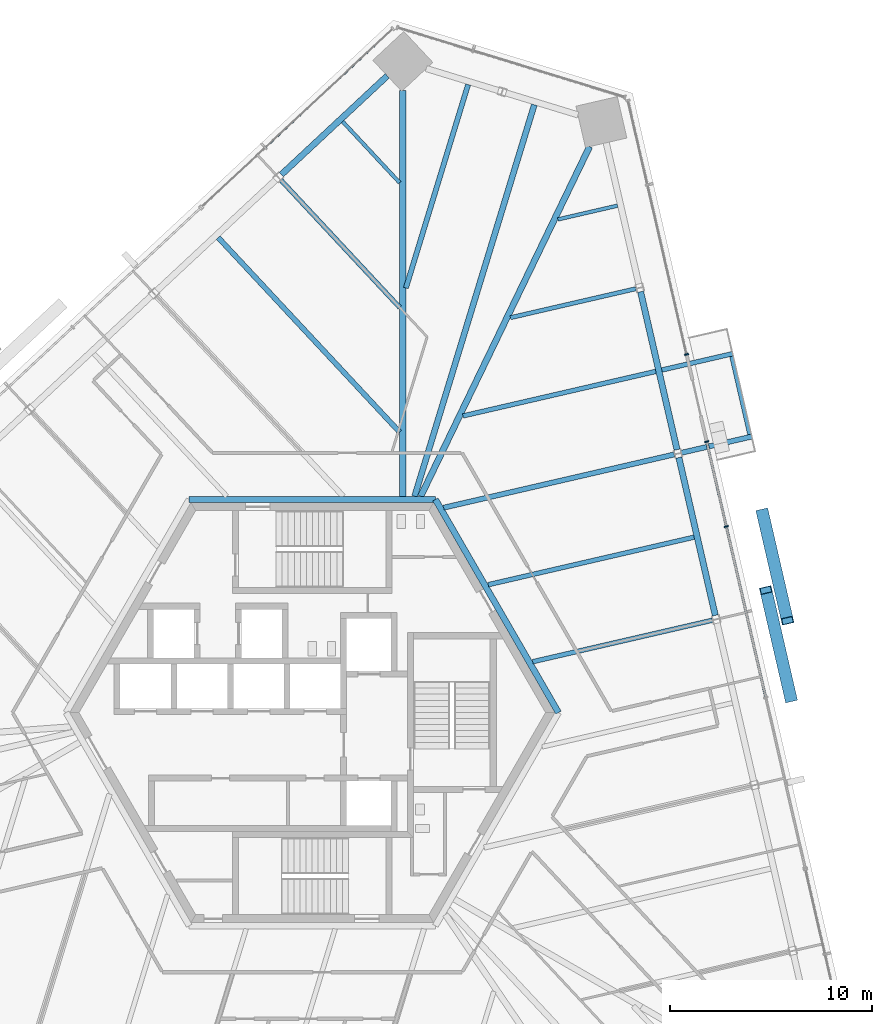
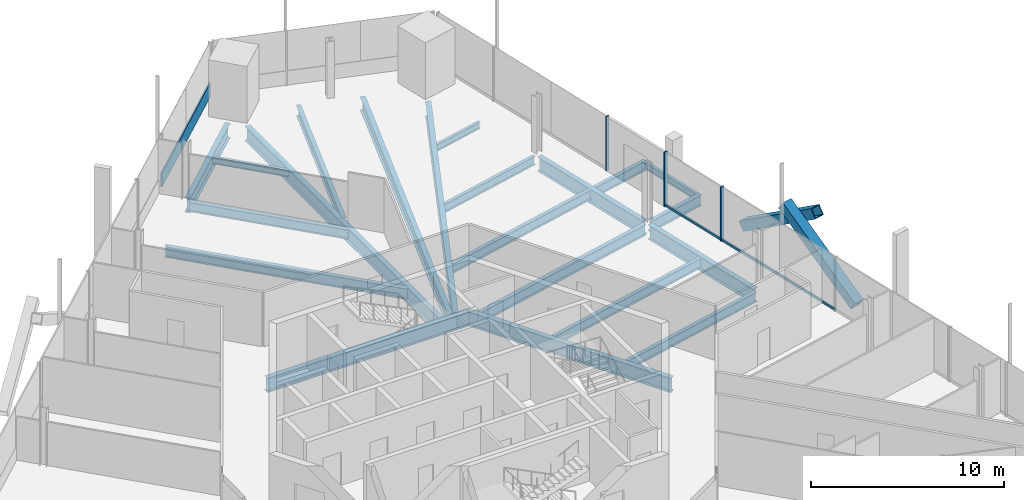
# One storey, part 9 of 24: 21 beams, 8 members, 3 elements without a shape of their own.
"""IFC4 building model written with IfcOpenShell, lengths in metres."""

from ifc_helpers import new_model, si_unit, direction, frame, origin, origin_2d, place, context, subcontext, project, spatial, rectangle, hollow_rectangle, i_section, extrude, source, transform, mapped, material, material_profile, profile_set, type_object, element, aggregate, save


model = new_model("IFC4")

# Units and contexts
model_context = context("Model", 3, precision=1e-05, world=origin(), true_north=direction((0.0, 1.0)))
body_context = subcontext(model_context, "Body", "Model", "MODEL_VIEW")
ifc_project = project(units=[si_unit("LENGTHUNIT", "METRE"), si_unit("AREAUNIT", "SQUARE_METRE"), si_unit("VOLUMEUNIT", "CUBIC_METRE"), si_unit("PLANEANGLEUNIT", "RADIAN"), si_unit("MASSUNIT", "GRAM", prefix="KILO")], contexts=[model_context])

# Site, building, storey
site_placement = place(None, origin())
site = spatial("IfcSite", under=ifc_project, at=site_placement, CompositionType="ELEMENT")
building_placement = place(site_placement, origin())
building = spatial("IfcBuilding", under=site, at=building_placement, Name="Triune Harvest Tower", CompositionType="ELEMENT")
storey_placement = place(building_placement, frame((0.0, 0.0, 112.699951171875)))
storey = spatial("IfcBuildingStorey", under=building, at=storey_placement, Name="L28", CompositionType="ELEMENT", Elevation=112.699951171875)

# Curtain wall, member
ifc_material_1 = material(Name="Aluminium bronze anodised", Category="aluminium")
curtain_wall_type_1 = type_object("IfcCurtainWallType", Name="CW-10 Balcony window wall with insulated spandrel infill", PredefinedType="NOTDEFINED", material=ifc_material_1)
curtain_wall_1_placement = place(storey_placement, origin())
curtain_wall_1 = element("IfcCurtainWall", 1, at=curtain_wall_1_placement, inside=storey, type_object=curtain_wall_type_1, Name="CW-10 B3-F1 L28 run 1001")
ifc_material_2 = material(Name="Aluminium bronze anodised", Category="aluminium")
ifc_material_profile_1 = material_profile(ifc_material_2, rectangle(XDim=0.090087890625, YDim=0.14990234375, at=origin_2d()), Name="TR-6 transom 90 x 150")
ifc_profile_set_1 = profile_set([ifc_material_profile_1], Name="Aluminium bronze anodised")
member_type_1 = type_object("IfcMemberType", Name="TR-6 transom 90 x 150", PredefinedType="USERDEFINED", material=ifc_profile_set_1)
member_1_placement = place(storey_placement, frame((22.423095703125, 0.781982421875, 0.074951171875), z_axis=(-0.224960987518, 0.974367771478, 0.0), x_axis=(-0.974367771478, -0.224960987518, 0.0)))
member_1 = element("IfcMember", 2, at=member_1_placement, type_object=member_type_1, Name="CW-10 transom B3-F1 1001.2", ObjectType="TRANSOM", PredefinedType="USERDEFINED", context=body_context, shape_type="SweptSolid", body=[
    extrude(rectangle(XDim=0.090087890625, YDim=0.14990234375, at=origin_2d()), origin(), (0.0, 0.0, 1.0), 8.609375),
])

# Beams
ifc_material_3 = material(Name="Steel ASTM A992 Gr 50", Category="steel")
ifc_material_profile_2 = material_profile(ifc_material_3, i_section(OverallWidth=0.3046875, OverallDepth=0.914306640625, WebThickness=0.0166015625, FlangeThickness=0.02587890625, at=origin_2d()), Name="W36x160")
ifc_profile_set_2 = profile_set([ifc_material_profile_2], Name="Steel ASTM A992 Gr 50")
beam_type_1 = type_object("IfcBeamType", Name="CG-1 Core ring girder W36x160", PredefinedType="BEAM", material=ifc_profile_set_2)
shared_shape_1 = source(origin(), body_context, "Body", "SweptSolid", [
    extrude(i_section(OverallWidth=0.3046875, OverallDepth=0.914306640625, WebThickness=0.0166015625, FlangeThickness=0.02587890625, at=origin_2d()), origin(), (0.0, 0.0, 1.0), 12.176025390625),
])
beam_1_placement = place(storey_placement, frame((12.176025390625, 0.0, -0.6171875), z_axis=(-0.5000099932, 0.866019634131, 0.0), x_axis=(-0.866019634131, -0.5000099932, 0.0)))
element("IfcBeam", 3, at=beam_1_placement, inside=storey, type_object=beam_type_1, Name="beam/L28/CG1", PredefinedType="BEAM", context=body_context, shape_type="MappedRepresentation", body=[
    mapped(shared_shape_1, transform((0.0, 0.0, 0.0), scale=1.0)),
])
shared_shape_2 = source(origin(), body_context, "Body", "SweptSolid", [
    extrude(i_section(OverallWidth=0.3046875, OverallDepth=0.914306640625, WebThickness=0.0166015625, FlangeThickness=0.02587890625, at=origin_2d()), origin(), (0.0, 0.0, 1.0), 12.17578125),
])
beam_2_placement = place(storey_placement, frame((6.087890625, 10.544677734375, -0.6171875), z_axis=(-1.0, 0.0, 0.0), x_axis=(0.0, -1.0, 0.0)))
element("IfcBeam", 4, at=beam_2_placement, inside=storey, type_object=beam_type_1, Name="beam/L28/CG2", PredefinedType="BEAM", context=body_context, shape_type="MappedRepresentation", body=[
    mapped(shared_shape_2, transform((0.0, 0.0, 0.0), scale=1.0)),
])
ifc_material_4 = material(Name="Steel ASTM A992 Gr 50", Category="steel")
ifc_material_profile_3 = material_profile(ifc_material_4, i_section(OverallWidth=0.3046875, OverallDepth=0.914306640625, WebThickness=0.0166015625, FlangeThickness=0.02587890625, at=origin_2d()), Name="W36x160")
ifc_profile_set_3 = profile_set([ifc_material_profile_3], Name="Steel ASTM A992 Gr 50")
beam_type_2 = type_object("IfcBeamType", Name="SB-1 Spandrel beam W36x160", PredefinedType="SPANDREL", material=ifc_profile_set_3)
shared_shape_3 = source(origin(), body_context, "Body", "SweptSolid", [
    extrude(i_section(OverallWidth=0.3046875, OverallDepth=0.914306640625, WebThickness=0.0166015625, FlangeThickness=0.02587890625, at=origin_2d()), origin(), (0.0, 0.0, 1.0), 8.0185546875),
])
beam_3_placement = place(storey_placement, frame((18.04248046875, 13.00439453125, -0.6171875), z_axis=(-0.224915098534, 0.974378365139, 0.0), x_axis=(-0.974378365139, -0.224915098534, 0.0)))
element("IfcBeam", 5, at=beam_3_placement, inside=storey, type_object=beam_type_2, Name="beam/L28/SB5", PredefinedType="SPANDREL", context=body_context, shape_type="MappedRepresentation", body=[
    mapped(shared_shape_3, transform((0.0, 0.0, 0.0), scale=1.0)),
])
shared_shape_4 = source(origin(), body_context, "Body", "SweptSolid", [
    extrude(i_section(OverallWidth=0.3046875, OverallDepth=0.914306640625, WebThickness=0.0166015625, FlangeThickness=0.02587890625, at=origin_2d()), origin(), (0.0, 0.0, 1.0), 8.01806640625),
])
beam_4_placement = place(storey_placement, frame((19.935546875, 4.805908203125, -0.6171875), z_axis=(-0.224957352975, 0.97436861061, 0.0), x_axis=(-0.97436861061, -0.224957352975, 0.0)))
element("IfcBeam", 6, at=beam_4_placement, inside=storey, type_object=beam_type_2, Name="beam/L28/SB4", PredefinedType="SPANDREL", context=body_context, shape_type="MappedRepresentation", body=[
    mapped(shared_shape_4, transform((0.0, 0.0, 0.0), scale=1.0)),
])
shared_shape_5 = source(origin(), body_context, "Body", "SweptSolid", [
    extrude(i_section(OverallWidth=0.3046875, OverallDepth=0.914306640625, WebThickness=0.0166015625, FlangeThickness=0.02587890625, at=origin_2d()), origin(), (0.0, 0.0, 1.0), 7.16650390625),
])
beam_5_placement = place(storey_placement, frame((3.709228515625, 31.49658203125, -0.6171875), z_axis=(-0.731357675554, -0.681994098515, 0.0), x_axis=(0.681994098515, -0.731357675554, 0.0)))
element("IfcBeam", 7, at=beam_5_placement, inside=storey, type_object=beam_type_2, Name="beam/L28/SB9", PredefinedType="SPANDREL", context=body_context, shape_type="MappedRepresentation", body=[
    mapped(shared_shape_5, transform((0.0, 0.0, 0.0), scale=1.0)),
])
ifc_material_5 = material(Name="Steel ASTM A992 Gr 50", Category="steel")
ifc_material_profile_4 = material_profile(ifc_material_5, i_section(OverallWidth=0.307373046875, OverallDepth=0.922119140625, WebThickness=0.018310546875, FlangeThickness=0.030029296875, at=origin_2d()), Name="W36x182")
ifc_profile_set_4 = profile_set([ifc_material_profile_4], Name="Steel ASTM A992 Gr 50")
beam_type_3 = type_object("IfcBeamType", Name="HG-2 Hip girder W36x182", PredefinedType="BEAM", material=ifc_profile_set_4)
shared_shape_6 = source(origin(), body_context, "Body", "SweptSolid", [
    extrude(i_section(OverallWidth=0.307373046875, OverallDepth=0.922119140625, WebThickness=0.018310546875, FlangeThickness=0.030029296875, at=origin_2d()), origin(), (0.0, 0.0, 1.0), 19.2109375),
])
beam_6_placement = place(storey_placement, frame((13.7158203125, 27.996337890625, -0.620849609375), z_axis=(-0.434869540736, -0.900493466129, 0.0), x_axis=(0.900493466129, -0.434869540736, 0.0)))
element("IfcBeam", 8, at=beam_6_placement, inside=storey, type_object=beam_type_3, Name="beam/L28/HG3", PredefinedType="BEAM", context=body_context, shape_type="MappedRepresentation", body=[
    mapped(shared_shape_6, transform((0.0, 0.0, 0.0), scale=1.0)),
])
shared_shape_7 = source(origin(), body_context, "Body", "SweptSolid", [
    extrude(i_section(OverallWidth=0.307373046875, OverallDepth=0.922119140625, WebThickness=0.018310546875, FlangeThickness=0.030029296875, at=origin_2d()), origin(), (0.0, 0.0, 1.0), 20.080078125),
])
beam_7_placement = place(storey_placement, frame((4.47705078125, 30.777099609375, -0.620849609375), z_axis=(0.0, -1.0, 0.0), x_axis=(1.0, 0.0, 0.0)))
element("IfcBeam", 9, at=beam_7_placement, inside=storey, type_object=beam_type_3, Name="beam/L28/HG4", PredefinedType="BEAM", context=body_context, shape_type="MappedRepresentation", body=[
    mapped(shared_shape_7, transform((0.0, 0.0, 0.0), scale=1.0)),
])
ifc_material_6 = material(Name="Steel ASTM A992 Gr 50", Category="steel")
ifc_material_profile_5 = material_profile(ifc_material_6, i_section(OverallWidth=0.22900390625, OverallDepth=0.612060546875, WebThickness=0.011962890625, FlangeThickness=0.01953125, at=origin_2d()), Name="W24x84")
ifc_profile_set_5 = profile_set([ifc_material_profile_5], Name="Steel ASTM A992 Gr 50")
beam_type_4 = type_object("IfcBeamType", Name="JT-3 Floor joist W24x84", PredefinedType="JOIST", material=ifc_profile_set_5)
shared_shape_8 = source(origin(), body_context, "Body", "SweptSolid", [
    extrude(i_section(OverallWidth=0.22900390625, OverallDepth=0.612060546875, WebThickness=0.011962890625, FlangeThickness=0.01953125, at=origin_2d()), origin(), (0.0, 0.0, 1.0), 9.129150390625),
])
beam_8_placement = place(storey_placement, frame((19.79443359375, 4.56982421875, -0.466064453125), z_axis=(-0.974374065454, -0.22493372484, 0.0), x_axis=(0.22493372484, -0.974374065454, 0.0)))
element("IfcBeam", 10, at=beam_8_placement, inside=storey, type_object=beam_type_4, Name="beam/L28/JT6", PredefinedType="JOIST", context=body_context, shape_type="MappedRepresentation", body=[
    mapped(shared_shape_8, transform((0.0, 0.0, 0.0), scale=1.0)),
])
shared_shape_9 = source(origin(), body_context, "Body", "SweptSolid", [
    extrude(i_section(OverallWidth=0.22900390625, OverallDepth=0.612060546875, WebThickness=0.011962890625, FlangeThickness=0.01953125, at=origin_2d()), origin(), (0.0, 0.0, 1.0), 10.45361328125),
])
beam_9_placement = place(storey_placement, frame((18.88525390625, 8.677978515625, -0.466064453125), z_axis=(-0.974370329956, -0.224949905758, 0.0), x_axis=(0.224949905758, -0.974370329956, 0.0)))
element("IfcBeam", 11, at=beam_9_placement, inside=storey, type_object=beam_type_4, Name="beam/L28/JT7", PredefinedType="JOIST", context=body_context, shape_type="MappedRepresentation", body=[
    mapped(shared_shape_9, transform((0.0, 0.0, 0.0), scale=1.0)),
])
ifc_material_7 = material(Name="Steel ASTM A992 Gr 50", Category="steel")
ifc_material_profile_6 = material_profile(ifc_material_7, i_section(OverallWidth=0.253662109375, OverallDepth=0.683349609375, WebThickness=0.012451171875, FlangeThickness=0.01904296875, at=origin_2d()), Name="W27x94")
ifc_profile_set_6 = profile_set([ifc_material_profile_6], Name="Steel ASTM A992 Gr 50")
beam_type_5 = type_object("IfcBeamType", Name="JT-4 Floor joist W27x94", PredefinedType="JOIST", material=ifc_profile_set_6)
shared_shape_10 = source(origin(), body_context, "Body", "SweptSolid", [
    extrude(i_section(OverallWidth=0.253662109375, OverallDepth=0.683349609375, WebThickness=0.012451171875, FlangeThickness=0.01904296875, at=origin_2d()), origin(), (0.0, 0.0, 1.0), 11.701904296875),
])
beam_10_placement = place(storey_placement, frame((17.901611328125, 12.768798828125, -0.50146484375), z_axis=(-0.974365520252, -0.224970737974, 0.0), x_axis=(0.224970737974, -0.974365520252, 0.0)))
element("IfcBeam", 12, at=beam_10_placement, inside=storey, type_object=beam_type_5, Name="beam/L28/JT8", PredefinedType="JOIST", context=body_context, shape_type="MappedRepresentation", body=[
    mapped(shared_shape_10, transform((0.0, 0.0, 0.0), scale=1.0)),
])
shared_shape_11 = source(origin(), body_context, "Body", "SweptSolid", [
    extrude(i_section(OverallWidth=0.22900390625, OverallDepth=0.612060546875, WebThickness=0.011962890625, FlangeThickness=0.01953125, at=origin_2d()), origin(), (0.0, 0.0, 1.0), 9.790283203125),
])
beam_11_placement = place(storey_placement, frame((16.9921875, 16.876708984375, -0.466064453125), z_axis=(-0.974368495141, -0.224957853113, 0.0), x_axis=(0.224957853113, -0.974368495141, 0.0)))
element("IfcBeam", 13, at=beam_11_placement, inside=storey, type_object=beam_type_4, Name="beam/L28/JT9", PredefinedType="JOIST", context=body_context, shape_type="MappedRepresentation", body=[
    mapped(shared_shape_11, transform((0.0, 0.0, 0.0), scale=1.0)),
])
ifc_material_8 = material(Name="Steel ASTM A992 Gr 50", Category="steel")
ifc_material_profile_7 = material_profile(ifc_material_8, i_section(OverallWidth=0.2099609375, OverallDepth=0.535888671875, WebThickness=0.010986328125, FlangeThickness=0.017333984375, at=origin_2d()), Name="W21x68")
ifc_profile_set_7 = profile_set([ifc_material_profile_7], Name="Steel ASTM A992 Gr 50")
beam_type_6 = type_object("IfcBeamType", Name="JT-2 Floor joist W21x68", PredefinedType="JOIST", material=ifc_profile_set_7)
shared_shape_12 = source(origin(), body_context, "Body", "SweptSolid", [
    extrude(i_section(OverallWidth=0.2099609375, OverallDepth=0.535888671875, WebThickness=0.010986328125, FlangeThickness=0.017333984375, at=origin_2d()), origin(), (0.0, 0.0, 1.0), 6.372314453125),
])
beam_12_placement = place(storey_placement, frame((16.0087890625, 20.967529296875, -0.427978515625), z_axis=(-0.974365360565, -0.224971429586, 0.0), x_axis=(0.224971429586, -0.974365360565, 0.0)))
element("IfcBeam", 14, at=beam_12_placement, inside=storey, type_object=beam_type_6, Name="beam/L28/JT10", PredefinedType="JOIST", context=body_context, shape_type="MappedRepresentation", body=[
    mapped(shared_shape_12, transform((0.0, 0.0, 0.0), scale=1.0)),
])
ifc_material_9 = material(Name="Steel ASTM A992 Gr 50", Category="steel")
ifc_material_profile_8 = material_profile(ifc_material_9, i_section(OverallWidth=0.180908203125, OverallDepth=0.41650390625, WebThickness=0.010986328125, FlangeThickness=0.01806640625, at=origin_2d()), Name="W16x57")
ifc_profile_set_8 = profile_set([ifc_material_profile_8], Name="Steel ASTM A992 Gr 50")
beam_type_7 = type_object("IfcBeamType", Name="JT-1 Floor joist W16x57", PredefinedType="JOIST", material=ifc_profile_set_8)
shared_shape_13 = source(origin(), body_context, "Body", "SweptSolid", [
    extrude(i_section(OverallWidth=0.180908203125, OverallDepth=0.41650390625, WebThickness=0.010986328125, FlangeThickness=0.01806640625, at=origin_2d()), origin(), (0.0, 0.0, 1.0), 3.0302734375),
])
beam_13_placement = place(storey_placement, frame((15.099365234375, 25.075439453125, -0.3681640625), z_axis=(-0.974372182121, -0.224941882957, 0.0), x_axis=(0.224941882957, -0.974372182121, 0.0)))
element("IfcBeam", 15, at=beam_13_placement, inside=storey, type_object=beam_type_7, Name="beam/L28/JT11", PredefinedType="JOIST", context=body_context, shape_type="MappedRepresentation", body=[
    mapped(shared_shape_13, transform((0.0, 0.0, 0.0), scale=1.0)),
])
ifc_material_10 = material(Name="Steel ASTM A992 Gr 50", Category="steel")
ifc_material_profile_9 = material_profile(ifc_material_10, i_section(OverallWidth=0.2919921875, OverallDepth=0.8583984375, WebThickness=0.01708984375, FlangeThickness=0.031005859375, at=origin_2d()), Name="W33x169")
ifc_profile_set_9 = profile_set([ifc_material_profile_9], Name="Steel ASTM A992 Gr 50")
beam_type_8 = type_object("IfcBeamType", Name="JT-7 Floor joist W33x169", PredefinedType="JOIST", material=ifc_profile_set_9)
shared_shape_14 = source(origin(), body_context, "Body", "SweptSolid", [
    extrude(i_section(OverallWidth=0.2919921875, OverallDepth=0.8583984375, WebThickness=0.01708984375, FlangeThickness=0.031005859375, at=origin_2d()), origin(), (0.0, 0.0, 1.0), 20.252685546875),
])
beam_14_placement = place(storey_placement, frame((10.982177734375, 30.064697265625, -0.58935546875), z_axis=(-0.292364925189, -0.956306828648, 0.0), x_axis=(0.956306828648, -0.292364925189, 0.0)))
element("IfcBeam", 16, at=beam_14_placement, inside=storey, type_object=beam_type_8, Name="beam/L28/JT12", PredefinedType="JOIST", context=body_context, shape_type="MappedRepresentation", body=[
    mapped(shared_shape_14, transform((0.0, 0.0, 0.0), scale=1.0)),
])
shared_shape_15 = source(origin(), body_context, "Body", "SweptSolid", [
    extrude(i_section(OverallWidth=0.253662109375, OverallDepth=0.683349609375, WebThickness=0.012451171875, FlangeThickness=0.01904296875, at=origin_2d()), origin(), (0.0, 0.0, 1.0), 10.522705078125),
])
beam_15_placement = place(storey_placement, frame((7.707275390625, 31.065673828125, -0.50146484375), z_axis=(-0.292358820543, -0.956308694957, 0.0), x_axis=(0.956308694957, -0.292358820543, 0.0)))
element("IfcBeam", 17, at=beam_15_placement, inside=storey, type_object=beam_type_5, Name="beam/L28/JT13", PredefinedType="JOIST", context=body_context, shape_type="MappedRepresentation", body=[
    mapped(shared_shape_15, transform((0.0, 0.0, 0.0), scale=1.0)),
])
shared_shape_16 = source(origin(), body_context, "Body", "SweptSolid", [
    extrude(i_section(OverallWidth=0.180908203125, OverallDepth=0.41650390625, WebThickness=0.010986328125, FlangeThickness=0.01806640625, at=origin_2d()), origin(), (0.0, 0.0, 1.0), 4.134033203125),
])
beam_16_placement = place(storey_placement, frame((1.504150390625, 29.23193359375, -0.3681640625), z_axis=(0.681989931417, -0.731361561367, 0.0), x_axis=(0.731361561367, 0.681989931417, 0.0)))
element("IfcBeam", 18, at=beam_16_placement, inside=storey, type_object=beam_type_7, Name="beam/L28/JT14", PredefinedType="JOIST", context=body_context, shape_type="MappedRepresentation", body=[
    mapped(shared_shape_16, transform((0.0, 0.0, 0.0), scale=1.0)),
])
shared_shape_17 = source(origin(), body_context, "Body", "SweptSolid", [
    extrude(i_section(OverallWidth=0.22900390625, OverallDepth=0.612060546875, WebThickness=0.011962890625, FlangeThickness=0.01953125, at=origin_2d()), origin(), (0.0, 0.0, 1.0), 8.607666015625),
])
beam_17_placement = place(storey_placement, frame((-1.546875, 26.334716796875, -0.466064453125), z_axis=(0.681999854465, -0.731352308063, 0.0), x_axis=(0.731352308063, 0.681999854465, 0.0)))
element("IfcBeam", 19, at=beam_17_placement, inside=storey, type_object=beam_type_4, Name="beam/L28/JT15", PredefinedType="JOIST", context=body_context, shape_type="MappedRepresentation", body=[
    mapped(shared_shape_17, transform((0.0, 0.0, 0.0), scale=1.0)),
])
shared_shape_18 = source(origin(), body_context, "Body", "SweptSolid", [
    extrude(i_section(OverallWidth=0.253662109375, OverallDepth=0.683349609375, WebThickness=0.012451171875, FlangeThickness=0.01904296875, at=origin_2d()), origin(), (0.0, 0.0, 1.0), 13.157470703125),
])
beam_18_placement = place(storey_placement, frame((-4.64990234375, 23.493408203125, -0.50146484375), z_axis=(0.681997545037, -0.731354461642, 0.0), x_axis=(0.731354461642, 0.681997545037, 0.0)))
element("IfcBeam", 20, at=beam_18_placement, inside=storey, type_object=beam_type_5, Name="beam/L28/JT16", PredefinedType="JOIST", context=body_context, shape_type="MappedRepresentation", body=[
    mapped(shared_shape_18, transform((0.0, 0.0, 0.0), scale=1.0)),
])

# Members
ifc_material_11 = material(Name="Steel ASTM A572 Gr 50", Category="steel")
ifc_material_profile_10 = material_profile(ifc_material_11, hollow_rectangle(XDim=0.60009765625, YDim=0.60009765625, WallThickness=0.0400390625, at=origin_2d()), Name="Box 600x600x40")
ifc_profile_set_10 = profile_set([ifc_material_profile_10], Name="Steel ASTM A572 Gr 50")
member_type_2 = type_object("IfcMemberType", Name="BR-2 Brace Box 600x600x40", PredefinedType="BRACE", material=ifc_profile_set_10)
shared_shape_19 = source(origin(), body_context, "Body", "SweptSolid", [
    extrude(hollow_rectangle(XDim=0.60009765625, YDim=0.60009765625, WallThickness=0.0400390625, at=origin_2d()), origin(), (0.0, 0.0, 1.0), 6.56640625),
])
for number, where, z_axis, x_axis, name in (
    (21, (23.671630859375, 0.70849609375, 0.0), (-0.188130999407, 0.814874923715, 0.548256861117), (-0.974369462042, -0.224953665097, 0.0), "brace/B3-F1/d1/5"),
    (22, (22.2685546875, 9.8974609375, 0.0), (0.188130999407, -0.814874923715, 0.548256861117), (0.974369462042, 0.224953665097, 0.0), "brace/B3-F1/d2/5"),
):
    element("IfcMember", number, at=place(storey_placement, frame(where, z_axis=z_axis, x_axis=x_axis)), inside=storey, type_object=member_type_2, Name=name, PredefinedType="BRACE", context=body_context, shape_type="MappedRepresentation", body=[
        mapped(shared_shape_19, transform((0.0, 0.0, 0.0), scale=1.0)),
    ])

# Member
ifc_material_12 = material(Name="Aluminium bronze anodised", Category="aluminium")
ifc_material_profile_11 = material_profile(ifc_material_12, rectangle(XDim=0.199951171875, YDim=0.074951171875, at=origin_2d()), Name="MU-6 mullion 75 x 200")
ifc_profile_set_11 = profile_set([ifc_material_profile_11], Name="Aluminium bronze anodised")
member_type_3 = type_object("IfcMemberType", Name="MU-6 mullion 75 x 200", PredefinedType="MULLION", material=ifc_profile_set_11)
shared_shape_20 = source(origin(), body_context, "Body", "SweptSolid", [
    extrude(rectangle(XDim=0.199951171875, YDim=0.074951171875, at=origin_2d()), origin(), (0.0, 0.0, 1.0), 3.43994140625),
])
member_2_placement = place(storey_placement, frame((20.47802734375, 9.20703125, 0.0), z_axis=(0.0, 0.0, 1.0), x_axis=(-0.97436981712, -0.224952127097, 0.0)))
member_2 = element("IfcMember", 23, at=member_2_placement, type_object=member_type_3, Name="CW-10 mullion B3-F1 1001.5", PredefinedType="MULLION", context=body_context, shape_type="MappedRepresentation", body=[
    mapped(shared_shape_20, transform((0.0, 0.0, 0.0), scale=1.0)),
])

member_3_placement = place(storey_placement, frame((19.509521484375, 13.4013671875, 0.0), z_axis=(0.0, 0.0, 1.0), x_axis=(-0.97436981712, -0.224952127097, 0.0)))
member_3 = element("IfcMember", 24, at=member_3_placement, type_object=member_type_3, Name="CW-10 mullion B3-F1 1001.6", PredefinedType="MULLION", context=body_context, shape_type="MappedRepresentation", body=[
    mapped(shared_shape_20, transform((0.0, 0.0, 0.0), scale=1.0)),
])

# Curtain wall, member
ifc_material_13 = material(Name="Aluminium bronze anodised", Category="aluminium")
curtain_wall_type_2 = type_object("IfcCurtainWallType", Name="CW-6 Balcony window wall", PredefinedType="NOTDEFINED", material=ifc_material_13)
curtain_wall_2_placement = place(storey_placement, origin())
curtain_wall_2 = element("IfcCurtainWall", 25, at=curtain_wall_2_placement, inside=storey, type_object=curtain_wall_type_2, Name="CW-6 B3-F1 L28 run 2")
member_4_placement = place(storey_placement, frame((18.513427734375, 17.71630859375, 0.0), z_axis=(0.0, 0.0, 1.0), x_axis=(-0.974370027263, -0.22495121687, 0.0)))
member_4 = element("IfcMember", 26, at=member_4_placement, type_object=member_type_3, Name="CW-6 mullion B3-F1 2.1", PredefinedType="MULLION", context=body_context, shape_type="MappedRepresentation", body=[
    mapped(shared_shape_20, transform((0.0, 0.0, 0.0), scale=1.0)),
])
aggregate(curtain_wall_2, [member_4])

# Beams
ifc_material_14 = material(Name="Steel ASTM A992 Gr 50", Category="steel")
ifc_material_profile_12 = material_profile(ifc_material_14, i_section(OverallWidth=0.253662109375, OverallDepth=0.683349609375, WebThickness=0.012451171875, FlangeThickness=0.01904296875, at=origin_2d()), Name="W27x94")
ifc_profile_set_12 = profile_set([ifc_material_profile_12], Name="Steel ASTM A992 Gr 50")
beam_type_9 = type_object("IfcBeamType", Name="BJ-4 Balcony cantilever joist W27x94", PredefinedType="JOIST", material=ifc_profile_set_12)
shared_shape_21 = source(origin(), body_context, "Body", "SweptSolid", [
    extrude(i_section(OverallWidth=0.253662109375, OverallDepth=0.683349609375, WebThickness=0.012451171875, FlangeThickness=0.01904296875, at=origin_2d()), origin(), (0.0, 0.0, 1.0), 3.59765625),
])
beam_19_placement = place(storey_placement, frame((18.235595703125, 12.845703125, -0.50146484375), z_axis=(0.97436717145, 0.224963586388, 0.0), x_axis=(-0.224963586388, 0.97436717145, 0.0)))
element("IfcBeam", 27, at=beam_19_placement, inside=storey, type_object=beam_type_9, Name="Balcony cantilever joist B3-F1 L28.9b", PredefinedType="JOIST", context=body_context, shape_type="MappedRepresentation", body=[
    mapped(shared_shape_21, transform((0.0, 0.0, 0.0), scale=1.0)),
])
ifc_material_15 = material(Name="Steel ASTM A992 Gr 50", Category="steel")
ifc_material_profile_13 = material_profile(ifc_material_15, i_section(OverallWidth=0.22900390625, OverallDepth=0.612060546875, WebThickness=0.011962890625, FlangeThickness=0.01953125, at=origin_2d()), Name="W24x84")
ifc_profile_set_13 = profile_set([ifc_material_profile_13], Name="Steel ASTM A992 Gr 50")
beam_type_10 = type_object("IfcBeamType", Name="BJ-3 Balcony cantilever joist W24x84", PredefinedType="JOIST", material=ifc_profile_set_13)
shared_shape_22 = source(origin(), body_context, "Body", "SweptSolid", [
    extrude(i_section(OverallWidth=0.22900390625, OverallDepth=0.612060546875, WebThickness=0.011962890625, FlangeThickness=0.01953125, at=origin_2d()), origin(), (0.0, 0.0, 1.0), 3.597412109375),
])
beam_20_placement = place(storey_placement, frame((17.289306640625, 16.9453125, -0.466064453125), z_axis=(0.974382044773, 0.224899157012, 0.0), x_axis=(-0.224899157012, 0.974382044773, 0.0)))
element("IfcBeam", 28, at=beam_20_placement, inside=storey, type_object=beam_type_10, Name="Balcony cantilever joist B3-F1 L28.9a", PredefinedType="JOIST", context=body_context, shape_type="MappedRepresentation", body=[
    mapped(shared_shape_22, transform((0.0, 0.0, 0.0), scale=1.0)),
])

# Curtain wall, member
ifc_material_16 = material(Name="Aluminium bronze anodised", Category="aluminium")
curtain_wall_type_3 = type_object("IfcCurtainWallType", Name="CW-1 Tower stick curtain wall", PredefinedType="NOTDEFINED", material=ifc_material_16)
curtain_wall_3_placement = place(storey_placement, origin())
curtain_wall_3 = element("IfcCurtainWall", 29, at=curtain_wall_3_placement, inside=storey, type_object=curtain_wall_type_3, Name="CW-1 B3-F3 L28 run 1")
ifc_material_17 = material(Name="Aluminium bronze anodised", Category="aluminium")
ifc_material_profile_14 = material_profile(ifc_material_17, rectangle(XDim=0.090087890625, YDim=0.89990234375, at=origin_2d()), Name="TR-1 transom 90 x 900")
ifc_profile_set_14 = profile_set([ifc_material_profile_14], Name="Aluminium bronze anodised")
member_type_4 = type_object("IfcMemberType", Name="TR-1 transom 90 x 900", PredefinedType="USERDEFINED", material=ifc_profile_set_14)
shared_shape_23 = source(origin(), body_context, "Body", "SweptSolid", [
    extrude(rectangle(XDim=0.090087890625, YDim=0.89990234375, at=origin_2d()), origin(), (0.0, 0.0, 1.0), 8.564208984375),
])
member_5_placement = place(storey_placement, frame((3.9619140625, 33.808837890625, 0.449951171875), z_axis=(-0.731349073873, -0.682003322679, 0.0), x_axis=(0.682003322679, -0.731349073873, 0.0)))
member_5 = element("IfcMember", 30, at=member_5_placement, type_object=member_type_4, Name="CW-1 transom B3-F3 1.1", ObjectType="TRANSOM", PredefinedType="USERDEFINED", context=body_context, shape_type="MappedRepresentation", body=[
    mapped(shared_shape_23, transform((0.0, 0.0, 0.0), scale=1.0)),
])
aggregate(curtain_wall_3, [member_5])

# Beam
ifc_material_18 = material(Name="Steel ASTM A992 Gr 50", Category="steel")
ifc_material_profile_15 = material_profile(ifc_material_18, i_section(OverallWidth=0.180908203125, OverallDepth=0.41650390625, WebThickness=0.010986328125, FlangeThickness=0.01806640625, at=origin_2d()), Name="W16x57")
ifc_profile_set_15 = profile_set([ifc_material_profile_15], Name="Steel ASTM A992 Gr 50")
beam_type_11 = type_object("IfcBeamType", Name="BE-1 balcony edge beam W16x57", PredefinedType="BEAM", material=ifc_profile_set_15)
shared_shape_24 = source(origin(), body_context, "Body", "SweptSolid", [
    extrude(i_section(OverallWidth=0.180908203125, OverallDepth=0.41650390625, WebThickness=0.010986328125, FlangeThickness=0.01806640625, at=origin_2d()), origin(), (0.0, 0.0, 1.0), 3.965576171875),
])
beam_21_placement = place(storey_placement, frame((20.732421875, 17.622314453125, -0.3681640625), z_axis=(0.224953926444, -0.974369401704, 0.0), x_axis=(0.974369401704, 0.224953926444, 0.0)))
element("IfcBeam", 31, at=beam_21_placement, inside=storey, type_object=beam_type_11, Name="Balcony edge beam B3-F1 L28.9", PredefinedType="BEAM", context=body_context, shape_type="MappedRepresentation", body=[
    mapped(shared_shape_24, transform((0.0, 0.0, 0.0), scale=1.0)),
])

# Member
shared_shape_25 = source(origin(), body_context, "Body", "SweptSolid", [
    extrude(rectangle(XDim=0.090087890625, YDim=0.14990234375, at=origin_2d()), origin(), (0.0, 0.0, 1.0), 4.2294921875),
])
member_6_placement = place(storey_placement, frame((20.469482421875, 9.24365234375, 0.074951171875), z_axis=(-0.224948036582, 0.974370761485, 0.0), x_axis=(-0.974370761485, -0.224948036582, 0.0)))
member_6 = element("IfcMember", 32, at=member_6_placement, type_object=member_type_1, Name="CW-10 transom B3-F1 1001.3", ObjectType="TRANSOM", PredefinedType="USERDEFINED", context=body_context, shape_type="MappedRepresentation", body=[
    mapped(shared_shape_25, transform((0.0, 0.0, 0.0), scale=1.0)),
])

aggregate(curtain_wall_1, [member_2, member_3, member_1, member_6])

save(model, "model.ifc")
